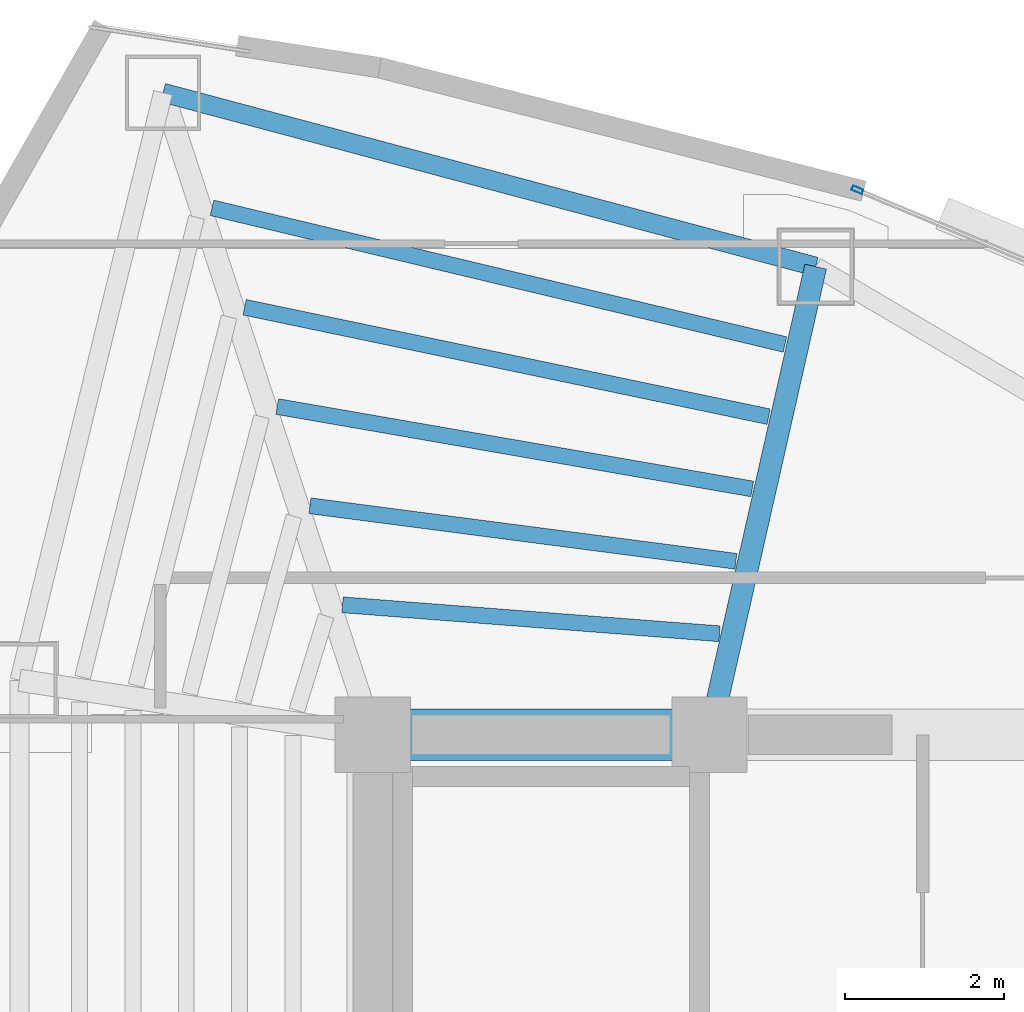
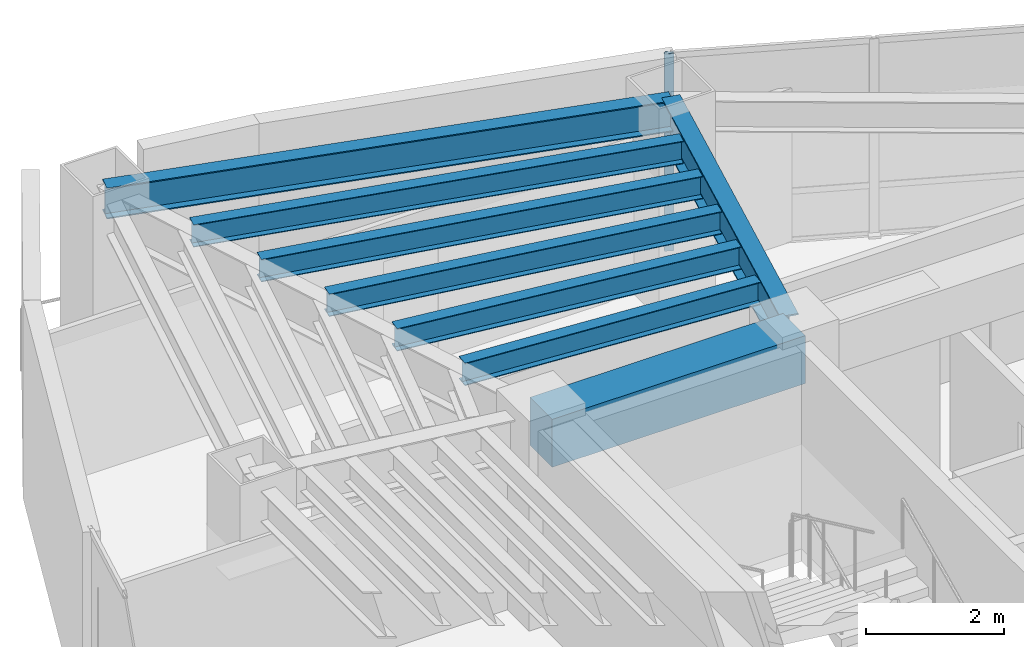
# One storey, part 7 of 15: 8 beams, 1 member, 1 element without a shape of its own.
"""IFC4 building model written with IfcOpenShell, lengths in metres."""

from ifc_helpers import new_model, si_unit, direction, frame, origin, origin_2d, place, context, subcontext, project, spatial, rectangle, hollow_rectangle, i_section, extrude, material, layer, layer_set, material_profile, profile_set, type_object, element, aggregate, save


model = new_model("IFC4")

# Units and contexts
model_context = context("Model", 3, precision=1e-05, world=origin(), true_north=direction((0.0, 1.0)))
body_context = subcontext(model_context, "Body", "Model", "MODEL_VIEW")
ifc_project = project(units=[si_unit("LENGTHUNIT", "METRE"), si_unit("AREAUNIT", "SQUARE_METRE"), si_unit("VOLUMEUNIT", "CUBIC_METRE"), si_unit("PLANEANGLEUNIT", "RADIAN"), si_unit("MASSUNIT", "GRAM", prefix="KILO")], contexts=[model_context])

# Site, building, storey
site_placement = place(None, origin())
site = spatial("IfcSite", under=ifc_project, at=site_placement, CompositionType="ELEMENT")
building_placement = place(site_placement, origin())
building = spatial("IfcBuilding", under=site, at=building_placement, Name="Menara Vayukalpa", CompositionType="ELEMENT")
storey_placement = place(building_placement, frame((0.0, 0.0, 180.360107421875)))
storey = spatial("IfcBuildingStorey", under=building, at=storey_placement, Name="L45", CompositionType="ELEMENT", Elevation=180.360107421875)

# Beams
ifc_material_1 = material(Name="Concrete C60/75", Category="concrete")
ifc_material_profile_1 = material_profile(ifc_material_1, rectangle(XDim=0.64990234375, YDim=0.85009765625, at=origin_2d()), Name="RC 650x850")
ifc_profile_set_1 = profile_set([ifc_material_profile_1], Name="Concrete C60/75")
beam_type_1 = type_object("IfcBeamType", Name="BM-CB1", PredefinedType="BEAM", material=ifc_profile_set_1)
beam_1_placement = place(storey_placement, frame((17.800048828125, 26.800048828125, 3.074951171875), z_axis=(1.0, 0.0, 0.0), x_axis=(0.0, 1.0, 0.0)))
element("IfcBeam", 1, at=beam_1_placement, inside=storey, type_object=beam_type_1, Name="L45 Core Tie Beam CBR4", PredefinedType="BEAM", context=body_context, shape_type="SweptSolid", body=[
    extrude(rectangle(XDim=0.64990234375, YDim=0.85009765625, at=origin_2d()), origin(), (0.0, 0.0, 1.0), 4.25),
])
ifc_material_2 = material(Name="Steel S355", Category="steel")
ifc_material_profile_2 = material_profile(ifc_material_2, i_section(OverallWidth=0.280029296875, OverallDepth=0.75, WebThickness=0.013916015625, FlangeThickness=0.02490234375, at=origin_2d()), Name="WF 750x280x14x25")
ifc_profile_set_2 = profile_set([ifc_material_profile_2], Name="Steel S355")
beam_type_2 = type_object("IfcBeamType", Name="BM-PG4", PredefinedType="BEAM", material=ifc_profile_set_2)
beam_2_placement = place(storey_placement, frame((22.105224609375, 27.043701171875, 3.125), z_axis=(0.221085149161, 0.975254508741, 0.0), x_axis=(-0.975254508741, 0.221085149161, 0.0)))
element("IfcBeam", 2, at=beam_2_placement, inside=storey, type_object=beam_type_2, Name="L45 Primary Radial Girder RG03", PredefinedType="BEAM", context=body_context, shape_type="SweptSolid", body=[
    extrude(i_section(OverallWidth=0.280029296875, OverallDepth=0.75, WebThickness=0.013916015625, FlangeThickness=0.02490234375, at=origin_2d()), origin(), (0.0, 0.0, 1.0), 5.80859375),
])
ifc_material_3 = material(Name="Steel S355", Category="steel")
ifc_material_profile_3 = material_profile(ifc_material_3, i_section(OverallWidth=0.199951171875, OverallDepth=0.39990234375, WebThickness=0.008056640625, FlangeThickness=0.012939453125, at=origin_2d()), Name="WF 400x200x8x13")
ifc_profile_set_3 = profile_set([ifc_material_profile_3], Name="Steel S355")
beam_type_3 = type_object("IfcBeamType", Name="BM-SJ2", PredefinedType="JOIST", material=ifc_profile_set_3)
beam_3_placement = place(storey_placement, frame((22.177001953125, 28.07568359375, 3.2998046875), z_axis=(-0.997061705182, 0.076602585202, 0.0), x_axis=(-0.076602585202, -0.997061705182, 0.0)))
element("IfcBeam", 3, at=beam_3_placement, inside=storey, type_object=beam_type_3, Name="L45 Secondary Floor Joist SJ03-1", PredefinedType="JOIST", context=body_context, shape_type="SweptSolid", body=[
    extrude(i_section(OverallWidth=0.199951171875, OverallDepth=0.39990234375, WebThickness=0.008056640625, FlangeThickness=0.012939453125, at=origin_2d()), origin(), (0.0, 0.0, 1.0), 4.77099609375),
])
beam_4_placement = place(storey_placement, frame((22.38330078125, 28.990478515625, 3.2998046875), z_axis=(-0.99161070493, 0.129260240866, 0.0), x_axis=(-0.129260240866, -0.99161070493, 0.0)))
element("IfcBeam", 4, at=beam_4_placement, inside=storey, type_object=beam_type_3, Name="L45 Secondary Floor Joist SJ03-2", PredefinedType="JOIST", context=body_context, shape_type="SweptSolid", body=[
    extrude(i_section(OverallWidth=0.199951171875, OverallDepth=0.39990234375, WebThickness=0.008056640625, FlangeThickness=0.012939453125, at=origin_2d()), origin(), (0.0, 0.0, 1.0), 5.420654296875),
])
beam_5_placement = place(storey_placement, frame((22.589599609375, 29.9033203125, 3.2998046875), z_axis=(-0.985288833054, 0.170897382832, 0.0), x_axis=(-0.170897382832, -0.985288833054, 0.0)))
element("IfcBeam", 5, at=beam_5_placement, inside=storey, type_object=beam_type_3, Name="L45 Secondary Floor Joist SJ03-3", PredefinedType="JOIST", context=body_context, shape_type="SweptSolid", body=[
    extrude(i_section(OverallWidth=0.199951171875, OverallDepth=0.39990234375, WebThickness=0.008056640625, FlangeThickness=0.012939453125, at=origin_2d()), origin(), (0.0, 0.0, 1.0), 6.0830078125),
])
beam_6_placement = place(storey_placement, frame((22.796142578125, 30.815185546875, 3.2998046875), z_axis=(-0.97888709748, 0.204401688806, 0.0), x_axis=(-0.204401688806, -0.97888709748, 0.0)))
element("IfcBeam", 6, at=beam_6_placement, inside=storey, type_object=beam_type_3, Name="L45 Secondary Floor Joist SJ03-4", PredefinedType="JOIST", context=body_context, shape_type="SweptSolid", body=[
    extrude(i_section(OverallWidth=0.199951171875, OverallDepth=0.39990234375, WebThickness=0.008056640625, FlangeThickness=0.012939453125, at=origin_2d()), origin(), (0.0, 0.0, 1.0), 6.75439453125),
])
beam_7_placement = place(storey_placement, frame((23.002685546875, 31.725830078125, 3.2998046875), z_axis=(-0.972731800574, 0.231932844055, 0.0), x_axis=(-0.231932844055, -0.972731800574, 0.0)))
element("IfcBeam", 7, at=beam_7_placement, inside=storey, type_object=beam_type_3, Name="L45 Secondary Floor Joist SJ03-5", PredefinedType="JOIST", context=body_context, shape_type="SweptSolid", body=[
    extrude(i_section(OverallWidth=0.199951171875, OverallDepth=0.39990234375, WebThickness=0.008056640625, FlangeThickness=0.012939453125, at=origin_2d()), origin(), (0.0, 0.0, 1.0), 7.4326171875),
])
ifc_material_4 = material(Name="Steel S355", Category="steel")
ifc_material_profile_4 = material_profile(ifc_material_4, i_section(OverallWidth=0.239990234375, OverallDepth=0.550048828125, WebThickness=0.010986328125, FlangeThickness=0.01904296875, at=origin_2d()), Name="WF 550x240x11x19")
ifc_profile_set_4 = profile_set([ifc_material_profile_4], Name="Steel S355")
beam_type_4 = type_object("IfcBeamType", Name="BM-SP2", PredefinedType="SPANDREL", material=ifc_profile_set_4)
beam_8_placement = place(storey_placement, frame((23.389404296875, 32.70849609375, 3.224853515625), z_axis=(-0.966287699272, 0.25746472037, 0.0), x_axis=(-0.25746472037, -0.966287699272, 0.0)))
element("IfcBeam", 8, at=beam_8_placement, inside=storey, type_object=beam_type_4, Name="L45 Perimeter Spandrel Beam SP03", PredefinedType="SPANDREL", context=body_context, shape_type="SweptSolid", body=[
    extrude(i_section(OverallWidth=0.239990234375, OverallDepth=0.550048828125, WebThickness=0.010986328125, FlangeThickness=0.01904296875, at=origin_2d()), origin(), (0.0, 0.0, 1.0), 8.52197265625),
])

# Curtain wall, member
ifc_material_5 = material(Name="Anodised Terracotta Aluminium Alloy 6063-T6", Category="masonry")
ifc_layer = layer(ifc_material_5, 0.139892578125)
ifc_layer_set = layer_set([ifc_layer], Name="Anodised Terracotta Aluminium Alloy 6063-T6")
curtain_wall_type = type_object("IfcCurtainWallType", Name="CW-CW5", PredefinedType="USERDEFINED", material=ifc_layer_set)
curtain_wall_placement = place(storey_placement, origin())
curtain_wall = element("IfcCurtainWall", 9, at=curtain_wall_placement, inside=storey, type_object=curtain_wall_type, Name="L45 High Rise Tapered Curtain Wall CW5 05", ObjectType="UNITISED", PredefinedType="USERDEFINED")
ifc_material_6 = material(Name="Anodised Terracotta Aluminium Alloy 6063-T6", Category="masonry")
ifc_material_profile_5 = material_profile(ifc_material_6, hollow_rectangle(XDim=0.06005859375, YDim=0.139892578125, WallThickness=0.00341796875, at=origin_2d()), Name="ALU 60x140x3.5")
ifc_profile_set_5 = profile_set([ifc_material_profile_5], Name="Anodised Terracotta Aluminium Alloy 6063-T6")
member_type = type_object("IfcMemberType", Name="CWM-CW5", PredefinedType="MULLION", material=ifc_profile_set_5)
member_placement = place(storey_placement, frame((23.916259765625, 33.677001953125, 0.0), z_axis=(0.0, 0.0, 1.0), x_axis=(-0.385902834406, -0.922539431351, 0.0)))
member = element("IfcMember", 10, at=member_placement, type_object=member_type, Name="CW5 mullion 3", PredefinedType="MULLION", context=body_context, shape_type="SweptSolid", body=[
    extrude(hollow_rectangle(XDim=0.06005859375, YDim=0.139892578125, WallThickness=0.00341796875, at=origin_2d()), origin(), (0.0, 0.0, 1.0), 3.5),
])
aggregate(curtain_wall, [member])

save(model, "model.ifc")
